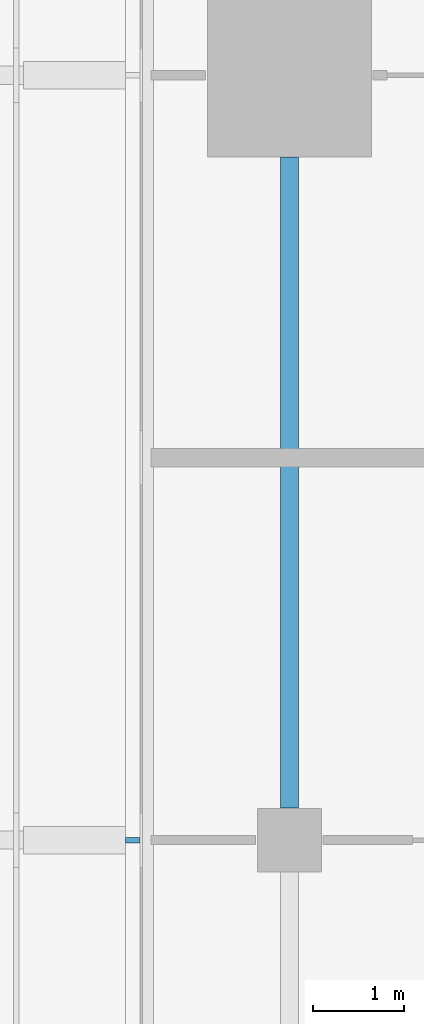
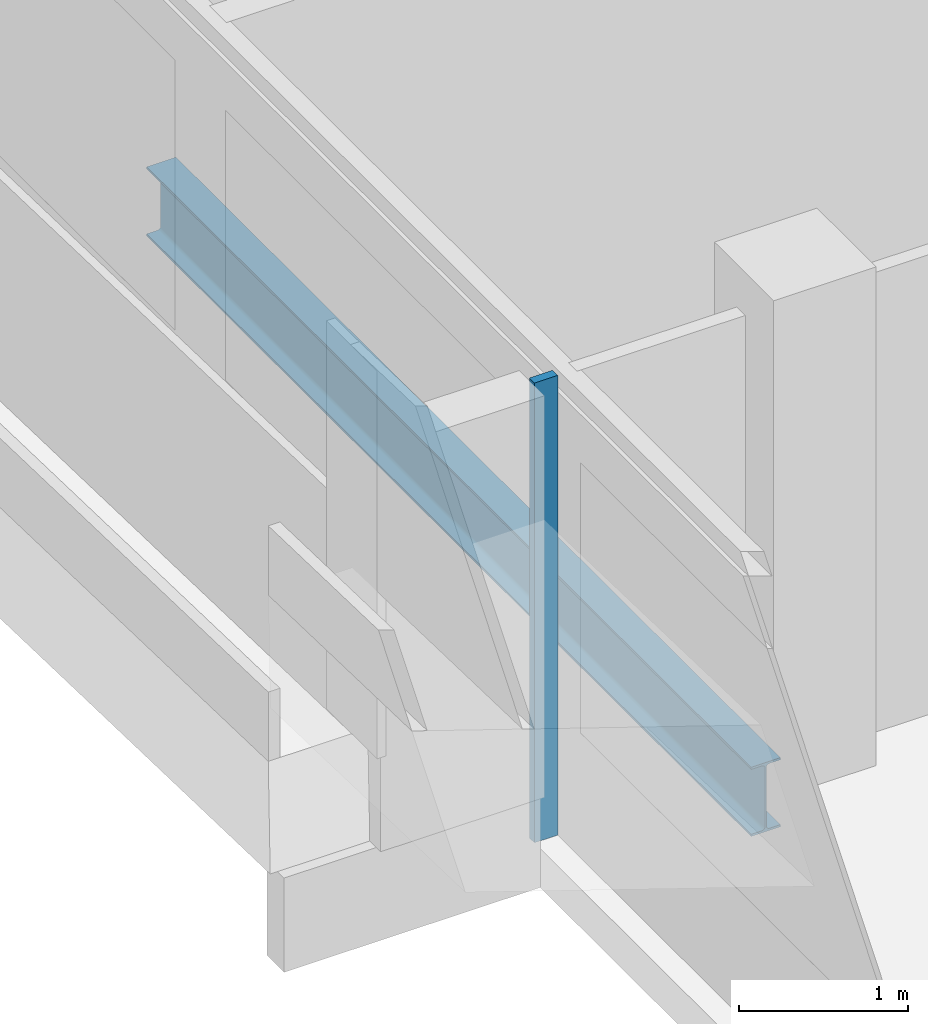
# One storey, part 4 of 27: 1 beam, 1 member, 1 element without a shape of its own.
"""IFC4 building model written with IfcOpenShell, lengths in metres."""

from ifc_helpers import new_model, si_unit, direction, frame, origin, origin_2d, place, context, subcontext, project, spatial, rectangle, i_section, extrude, material, material_profile, profile_set, type_object, element, aggregate, save


model = new_model("IFC4")

# Units and contexts
model_context = context("Model", 3, precision=1e-05, world=origin(), true_north=direction((0.0, 1.0)))
body_context = subcontext(model_context, "Body", "Model", "MODEL_VIEW")
ifc_project = project(units=[si_unit("LENGTHUNIT", "METRE"), si_unit("AREAUNIT", "SQUARE_METRE"), si_unit("VOLUMEUNIT", "CUBIC_METRE"), si_unit("PLANEANGLEUNIT", "RADIAN"), si_unit("MASSUNIT", "GRAM", prefix="KILO")], contexts=[model_context])

# Site, building, storey
site_placement = place(None, origin())
site = spatial("IfcSite", under=ifc_project, at=site_placement, CompositionType="ELEMENT")
building_placement = place(site_placement, origin())
building = spatial("IfcBuilding", under=site, at=building_placement, Name="Saffron Gate Tower", CompositionType="ELEMENT")
storey_placement = place(building_placement, frame((0.0, 0.0, 183.449951171875)))
storey = spatial("IfcBuildingStorey", under=building, at=storey_placement, Name="L45", CompositionType="ELEMENT", Elevation=183.449951171875)

# Beam
ifc_material_1 = material(Name="Structural steel S355", Category="steel")
ifc_material_profile_1 = material_profile(ifc_material_1, i_section(OverallWidth=0.199951171875, OverallDepth=0.5, WebThickness=0.01025390625, FlangeThickness=0.01611328125, FilletRadius=0.02099609375, at=origin_2d()))
ifc_profile_set_1 = profile_set([ifc_material_profile_1], Name="Structural steel S355")
beam_type = type_object("IfcBeamType", Name="B11 IPE 500", PredefinedType="SPANDREL", material=ifc_profile_set_1)
beam_placement = place(storey_placement, frame((49.800048828125, 57.35009765625, -0.530029296875), z_axis=(0.0, 1.0, 0.0), x_axis=(-1.0, 0.0, 0.0)))
element("IfcBeam", 1, at=beam_placement, inside=storey, type_object=beam_type, Name="B11 SPANDREL BEAM", PredefinedType="SPANDREL", context=body_context, shape_type="SweptSolid", body=[
    extrude(i_section(OverallWidth=0.199951171875, OverallDepth=0.5, WebThickness=0.01025390625, FlangeThickness=0.01611328125, FilletRadius=0.02099609375, at=origin_2d()), origin(), (0.0, 0.0, 1.0), 7.14990234375),
])

# Curtain wall, member
ifc_material_2 = material(Name="Aluminium, bronze anodised", Category="aluminium")
curtain_wall_type = type_object("IfcCurtainWallType", Name="CWS2 curtain wall side facades", PredefinedType="NOTDEFINED", material=ifc_material_2)
curtain_wall_placement = place(storey_placement, origin())
curtain_wall = element("IfcCurtainWall", 2, at=curtain_wall_placement, inside=storey, type_object=curtain_wall_type, Name="CWS2 run 10", PredefinedType="NOTDEFINED")
ifc_material_profile_2 = material_profile(ifc_material_2, rectangle(XDim=0.159912109375, YDim=0.06005859375, at=origin_2d()))
ifc_profile_set_2 = profile_set([ifc_material_profile_2], Name="Aluminium, bronze anodised")
member_type = type_object("IfcMemberType", Name="CWS2 mullion 60x160", PredefinedType="MULLION", material=ifc_profile_set_2)
member_placement = place(storey_placement, frame((48.080078125, 57.0, 0.0), z_axis=(0.0, 0.0, 1.0), x_axis=(1.0, 0.0, 0.0)))
member = element("IfcMember", 3, at=member_placement, type_object=member_type, Name="CWS2 mullion 3", PredefinedType="MULLION", context=body_context, shape_type="SweptSolid", body=[
    extrude(rectangle(XDim=0.159912109375, YDim=0.06005859375, at=origin_2d()), origin(), (0.0, 0.0, 1.0), 3.320068359375),
])
aggregate(curtain_wall, [member])

save(model, "model.ifc")
